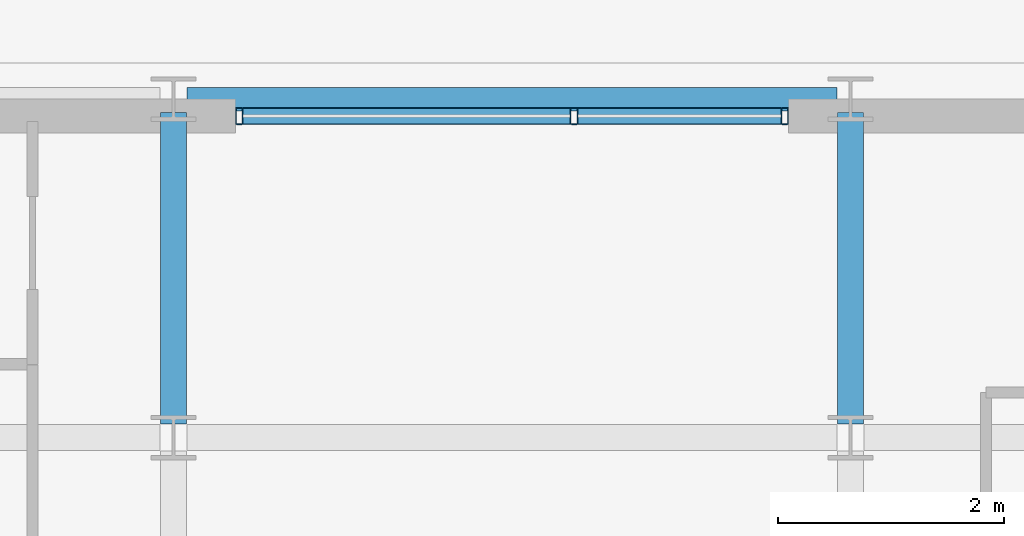
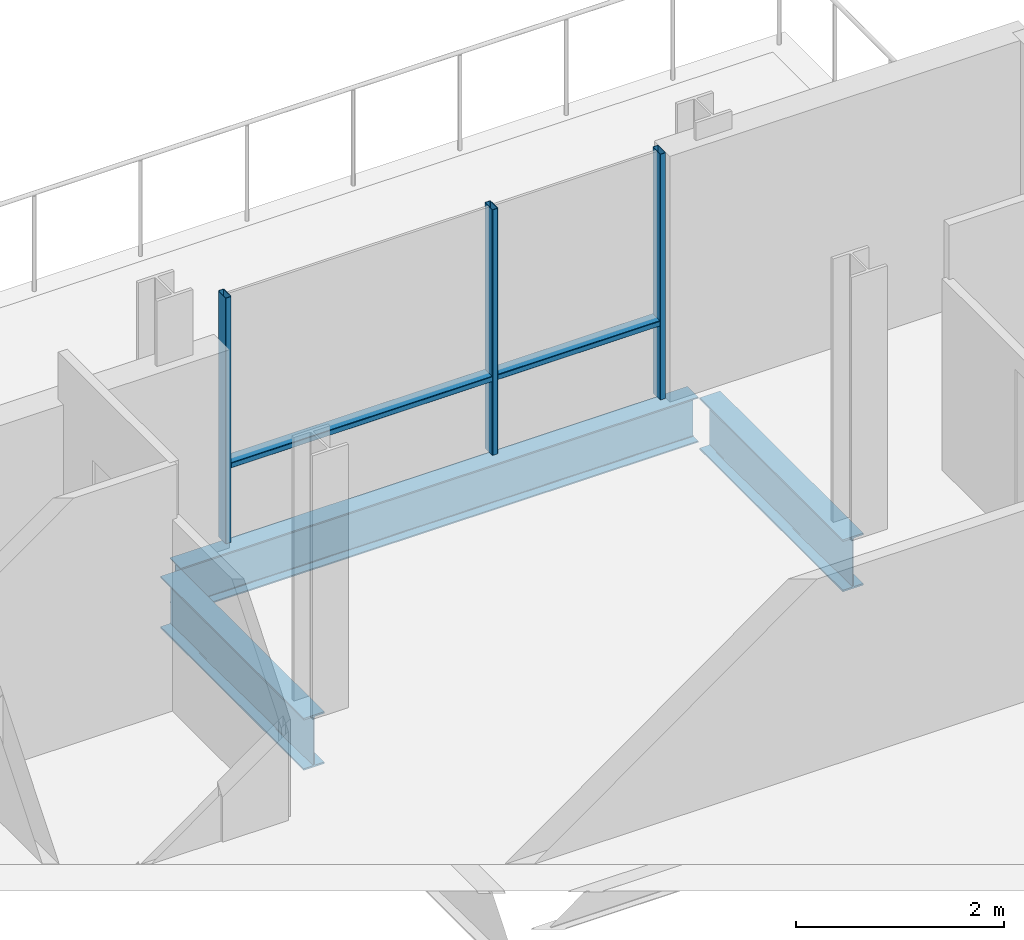
# One storey, part 23 of 38: 5 members, 3 beams, 1 element without a shape of its own.
"""IFC4 building model written with IfcOpenShell, lengths in metres."""

from ifc_helpers import new_model, si_unit, direction, frame, origin, origin_2d, place, context, subcontext, project, spatial, hollow_rectangle, i_section, extrude, material, layer, layer_set, material_profile, profile_set, type_object, element, aggregate, save


model = new_model("IFC4")

# Units and contexts
model_context = context("Model", 3, precision=1e-05, world=origin(), true_north=direction((0.0, 1.0)))
body_context = subcontext(model_context, "Body", "Model", "MODEL_VIEW")
ifc_project = project(units=[si_unit("LENGTHUNIT", "METRE"), si_unit("AREAUNIT", "SQUARE_METRE"), si_unit("VOLUMEUNIT", "CUBIC_METRE"), si_unit("PLANEANGLEUNIT", "RADIAN"), si_unit("MASSUNIT", "GRAM", prefix="KILO")], contexts=[model_context])

# Site, building, storey
site_placement = place(None, origin())
site = spatial("IfcSite", under=ifc_project, at=site_placement, CompositionType="ELEMENT")
building_placement = place(site_placement, origin())
building = spatial("IfcBuilding", under=site, at=building_placement, Name="Brevholm Reach", CompositionType="ELEMENT")
storey_placement = place(building_placement, frame((0.0, 0.0, 172.800048828125)))
storey = spatial("IfcBuildingStorey", under=building, at=storey_placement, Name="L52", CompositionType="ELEMENT", Elevation=172.800048828125)

# Beams
ifc_material_1 = material(Name="Structural Steel S355J2", Category="steel")
ifc_material_profile_1 = material_profile(ifc_material_1, i_section(OverallWidth=0.209228515625, OverallDepth=0.533203125, WebThickness=0.010009765625, FlangeThickness=0.015625, FilletRadius=0.0126953125, at=origin_2d()), Name="UKB 533x210x92")
ifc_profile_set_1 = profile_set([ifc_material_profile_1], Name="Structural Steel S355J2")
beam_type_1 = type_object("IfcBeamType", Name="BM-SP533", PredefinedType="SPANDREL", material=ifc_profile_set_1)
beam_placement = place(storey_placement, frame((48.1201171875, 26.5, -0.4765625), z_axis=(1.0, 0.0, 0.0), x_axis=(0.0, 1.0, 0.0)))
element("IfcBeam", 1, at=beam_placement, inside=storey, type_object=beam_type_1, Name="L52 SP-02 Framing Beam", PredefinedType="SPANDREL", context=body_context, shape_type="SweptSolid", body=[
    extrude(i_section(OverallWidth=0.209228515625, OverallDepth=0.533203125, WebThickness=0.010009765625, FlangeThickness=0.015625, FilletRadius=0.0126953125, at=origin_2d()), origin(), (0.0, 0.0, 1.0), 5.759765625),
])
ifc_material_2 = material(Name="Structural Steel S355J2", Category="steel")
ifc_material_profile_2 = material_profile(ifc_material_2, i_section(OverallWidth=0.22900390625, OverallDepth=0.6123046875, WebThickness=0.011962890625, FlangeThickness=0.01953125, FilletRadius=0.0126953125, at=origin_2d()), Name="UKB 610x229x125")
ifc_profile_set_2 = profile_set([ifc_material_profile_2], Name="Structural Steel S355J2")
beam_type_2 = type_object("IfcBeamType", Name="BM-SP610", PredefinedType="SPANDREL", material=ifc_profile_set_2)
for number, where, z_axis, x_axis, name in (
    (2, (48.0, 23.6201171875, -0.51611328125), (0.0, 1.0, 0.0), (-1.0, 0.0, 0.0), "L52 SP-01 Framing Beam"),
    (3, (54.0, 23.6201171875, -0.51611328125), (0.0, 1.0, 0.0), (-1.0, 0.0, 0.0), "L52 SP-01 Framing Beam"),
):
    element("IfcBeam", number, at=place(storey_placement, frame(where, z_axis=z_axis, x_axis=x_axis)), inside=storey, type_object=beam_type_2, Name=name, PredefinedType="SPANDREL", context=body_context, shape_type="SweptSolid", body=[
        extrude(i_section(OverallWidth=0.22900390625, OverallDepth=0.6123046875, WebThickness=0.011962890625, FlangeThickness=0.01953125, FilletRadius=0.0126953125, at=origin_2d()), origin(), (0.0, 0.0, 1.0), 2.759765625),
    ])

# Curtain wall, members
ifc_material_3 = material(Name="Dark Anodised Aluminium 6063-T6 and Solar-Control Glass", Category="aluminium")
ifc_layer = layer(ifc_material_3, 0.14990234375)
ifc_layer_set = layer_set([ifc_layer], Name="Dark Anodised Aluminium 6063-T6 and Solar-Control Glass")
curtain_wall_type = type_object("IfcCurtainWallType", Name="CW-01", PredefinedType="NOTDEFINED", material=ifc_layer_set)
curtain_wall_placement = place(storey_placement, origin())
curtain_wall = element("IfcCurtainWall", 4, at=curtain_wall_placement, inside=storey, type_object=curtain_wall_type, Name="L52 Curtain Wall CW-01", PredefinedType="NOTDEFINED")
ifc_material_4 = material(Name="Dark Anodised Aluminium 6063-T6", Category="aluminium")
ifc_material_profile_3 = material_profile(ifc_material_4, hollow_rectangle(XDim=0.06494140625, YDim=0.14990234375, WallThickness=0.0048828125, InnerFilletRadius=0.0048828125, OuterFilletRadius=0.010009765625, at=origin_2d()), Name="RHS 150x65x5")
ifc_profile_set_3 = profile_set([ifc_material_profile_3], Name="Dark Anodised Aluminium 6063-T6")
member_type_1 = type_object("IfcMemberType", Name="CWM-150", PredefinedType="MULLION", material=ifc_profile_set_3)
member_1_placement = place(storey_placement, frame((48.58251953125, 26.35009765625, 0.0), z_axis=(0.0, 0.0, 1.0), x_axis=(1.0, 0.0, 0.0)))
member_1 = element("IfcMember", 5, at=member_1_placement, type_object=member_type_1, Name="CM-150 Mullion 1", PredefinedType="MULLION", context=body_context, shape_type="SweptSolid", body=[
    extrude(hollow_rectangle(XDim=0.06494140625, YDim=0.14990234375, WallThickness=0.0048828125, InnerFilletRadius=0.0048828125, OuterFilletRadius=0.010009765625, at=origin_2d()), origin(), (0.0, 0.0, 1.0), 2.889892578125),
])
member_2_placement = place(storey_placement, frame((51.550048828125, 26.35009765625, 0.0), z_axis=(0.0, 0.0, 1.0), x_axis=(1.0, 0.0, 0.0)))
member_2 = element("IfcMember", 6, at=member_2_placement, type_object=member_type_1, Name="CM-150 Mullion 2", PredefinedType="MULLION", context=body_context, shape_type="SweptSolid", body=[
    extrude(hollow_rectangle(XDim=0.06494140625, YDim=0.14990234375, WallThickness=0.0048828125, InnerFilletRadius=0.0048828125, OuterFilletRadius=0.010009765625, at=origin_2d()), origin(), (0.0, 0.0, 1.0), 2.889892578125),
])
member_3_placement = place(storey_placement, frame((53.41748046875, 26.35009765625, 0.0), z_axis=(0.0, 0.0, 1.0), x_axis=(1.0, 0.0, 0.0)))
member_3 = element("IfcMember", 7, at=member_3_placement, type_object=member_type_1, Name="CM-150 Mullion 3", PredefinedType="MULLION", context=body_context, shape_type="SweptSolid", body=[
    extrude(hollow_rectangle(XDim=0.06494140625, YDim=0.14990234375, WallThickness=0.0048828125, InnerFilletRadius=0.0048828125, OuterFilletRadius=0.010009765625, at=origin_2d()), origin(), (0.0, 0.0, 1.0), 2.889892578125),
])
ifc_material_5 = material(Name="Dark Anodised Aluminium 6063-T6", Category="aluminium")
ifc_material_profile_4 = material_profile(ifc_material_5, hollow_rectangle(XDim=0.06494140625, YDim=0.14990234375, WallThickness=0.0048828125, InnerFilletRadius=0.0048828125, OuterFilletRadius=0.010009765625, at=origin_2d()), Name="RHS 150x65x5")
ifc_profile_set_4 = profile_set([ifc_material_profile_4], Name="Dark Anodised Aluminium 6063-T6")
member_type_2 = type_object("IfcMemberType", Name="CWT-150", PredefinedType="NOTDEFINED", material=ifc_profile_set_4)
member_4_placement = place(storey_placement, frame((48.614990234375, 26.35009765625, 0.89990234375), z_axis=(1.0, 0.0, 0.0), x_axis=(0.0, 0.0, 1.0)))
member_4 = element("IfcMember", 8, at=member_4_placement, type_object=member_type_2, Name="CT-150 Transom 1.1", ObjectType="TRANSOM", PredefinedType="USERDEFINED", context=body_context, shape_type="SweptSolid", body=[
    extrude(hollow_rectangle(XDim=0.06494140625, YDim=0.14990234375, WallThickness=0.0048828125, InnerFilletRadius=0.0048828125, OuterFilletRadius=0.010009765625, at=origin_2d()), origin(), (0.0, 0.0, 1.0), 2.902587890625),
])
member_5_placement = place(storey_placement, frame((51.58251953125, 26.35009765625, 0.89990234375), z_axis=(1.0, 0.0, 0.0), x_axis=(0.0, 0.0, 1.0)))
member_5 = element("IfcMember", 9, at=member_5_placement, type_object=member_type_2, Name="CT-150 Transom 2.1", ObjectType="TRANSOM", PredefinedType="USERDEFINED", context=body_context, shape_type="SweptSolid", body=[
    extrude(hollow_rectangle(XDim=0.06494140625, YDim=0.14990234375, WallThickness=0.0048828125, InnerFilletRadius=0.0048828125, OuterFilletRadius=0.010009765625, at=origin_2d()), origin(), (0.0, 0.0, 1.0), 1.802490234375),
])
aggregate(curtain_wall, [member_1, member_2, member_3, member_4, member_5])

save(model, "model.ifc")
